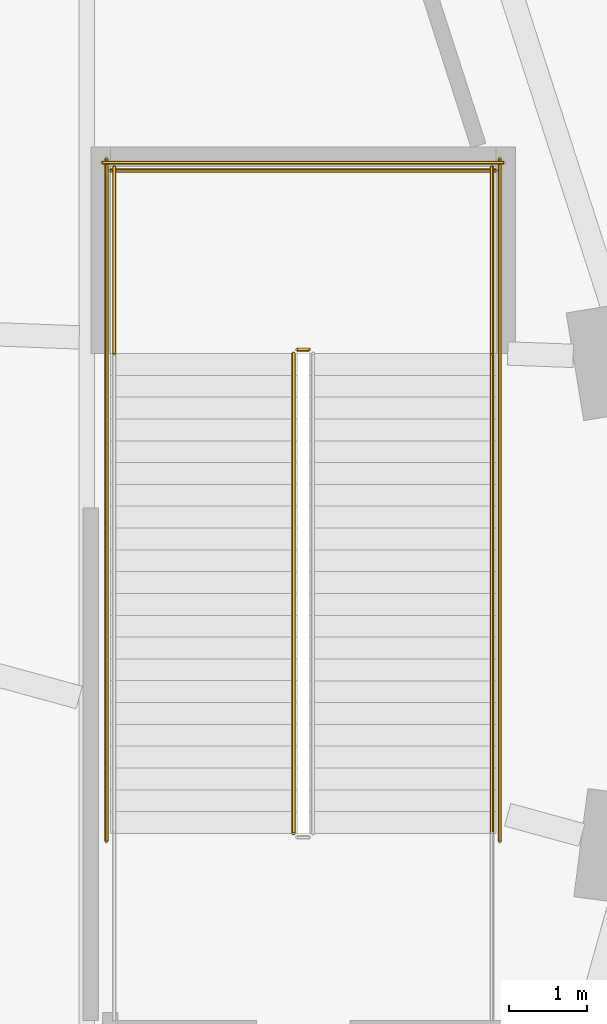
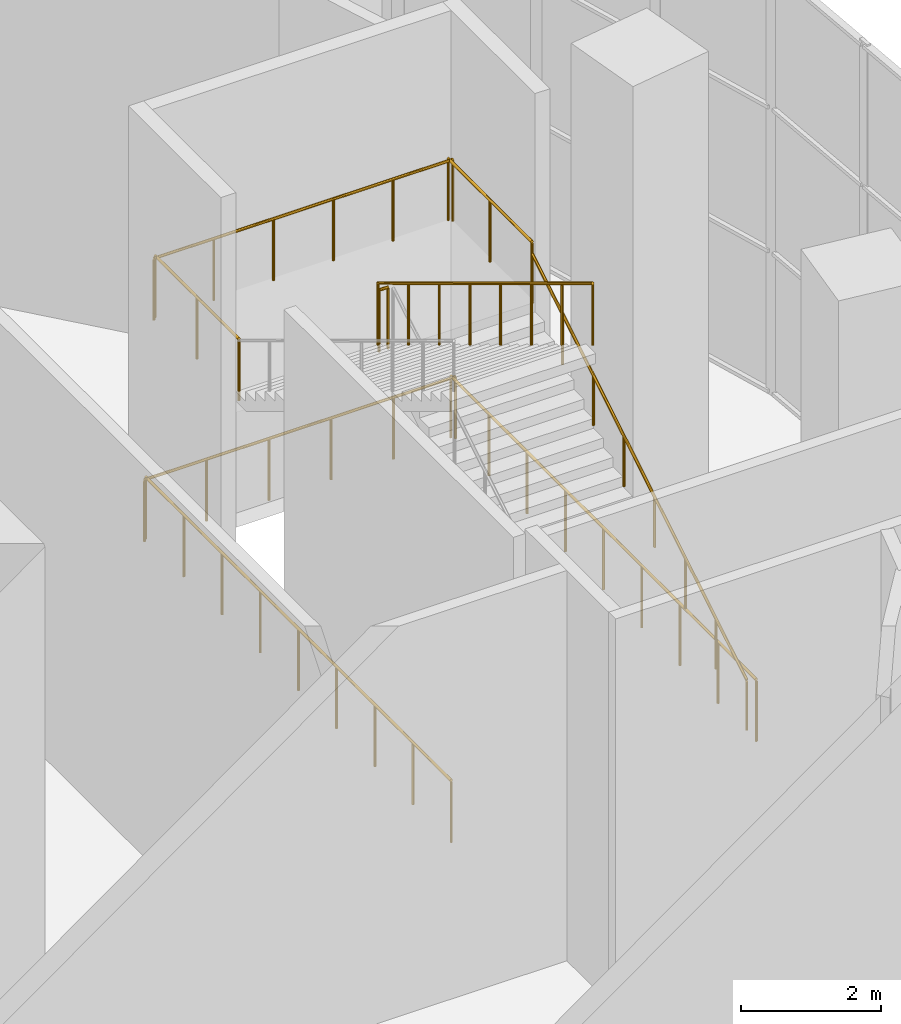
# One storey, part 21 of 22: 9 railings.
"""IFC4 building model written with IfcOpenShell, lengths in metres."""

from ifc_helpers import new_model, si_unit, direction, frame, origin, origin_2d, place, context, subcontext, project, spatial, circle, extrude, material, type_object, element, save


model = new_model("IFC4")

# Units and contexts
model_context = context("Model", 3, precision=1e-05, world=origin(), true_north=direction((0.0, 1.0)))
body_context = subcontext(model_context, "Body", "Model", "MODEL_VIEW")
ifc_project = project(units=[si_unit("LENGTHUNIT", "METRE"), si_unit("AREAUNIT", "SQUARE_METRE"), si_unit("VOLUMEUNIT", "CUBIC_METRE"), si_unit("PLANEANGLEUNIT", "RADIAN"), si_unit("MASSUNIT", "GRAM", prefix="KILO")], contexts=[model_context])

# Site, building, storey
site_placement = place(None, origin())
site = spatial("IfcSite", under=ifc_project, at=site_placement, CompositionType="ELEMENT")
building_placement = place(site_placement, origin())
building = spatial("IfcBuilding", under=site, at=building_placement, Name="Rubra Terraces Tower", CompositionType="ELEMENT")
storey_placement = place(building_placement, frame((0.0, 0.0, 15.0)))
storey = spatial("IfcBuildingStorey", under=building, at=storey_placement, Name="L02", CompositionType="ELEMENT", Elevation=15.0)

# Railings
ifc_material = material(Name="Stainless steel", Category="steel")
railing_type_1 = type_object("IfcRailingType", Name="Public stair guard 1100", PredefinedType="GUARDRAIL", material=ifc_material)
railing_1_placement = place(storey_placement, frame((22.5, 3.610107421875, 3.89990234375)))
element("IfcRailing", 1, at=railing_1_placement, inside=storey, type_object=railing_type_1, Name="L02 PS2 stair guard 2", PredefinedType="GUARDRAIL", context=body_context, shape_type="SweptSolid", body=[
    extrude(circle(Radius=0.02392578125, at=origin_2d()), frame((0.0, 0.0, 1.076171875), z_axis=(-1.0, 0.0, 0.0), x_axis=(0.0, -1.0, 0.0)), (0.0, 0.0, 1.0), 0.14990234375),
    extrude(circle(Radius=0.02099609375, at=origin_2d()), origin(), (0.0, 0.0, 1.0), 1.052001953125),
    extrude(circle(Radius=0.02099609375, at=origin_2d()), frame((-0.14990234375, 0.0, 0.0)), (0.0, 0.0, 1.0), 1.052001953125),
])
for number, where, name in (
    (2, (24.85009765625, 3.56005859375, 3.89990234375), "L02 PS2 stair guard 3"),
    (3, (20.0, 3.56005859375, 3.89990234375), "L02 PS2 stair guard 4"),
):
    element("IfcRailing", number, at=place(storey_placement, frame(where)), inside=storey, type_object=railing_type_1, Name=name, PredefinedType="GUARDRAIL", context=body_context, shape_type="SweptSolid", body=[
        extrude(circle(Radius=0.02392578125, at=origin_2d()), frame((0.0, 0.0, 1.076171875), z_axis=(0.0, 1.0, 0.0), x_axis=(-1.0, 0.0, 0.0)), (0.0, 0.0, 1.0), 2.39990234375),
        extrude(circle(Radius=0.02099609375, at=origin_2d()), origin(), (0.0, 0.0, 1.0), 1.052001953125),
        extrude(circle(Radius=0.02099609375, at=origin_2d()), frame((0.0, 1.199951171875, 0.0)), (0.0, 0.0, 1.0), 1.052001953125),
        extrude(circle(Radius=0.02099609375, at=origin_2d()), frame((0.0, 2.39990234375, 0.0)), (0.0, 0.0, 1.0), 1.052001953125),
    ])
railing_2_placement = place(storey_placement, frame((24.89990234375, 5.909912109375, 3.89990234375)))
element("IfcRailing", 4, at=railing_2_placement, inside=storey, type_object=railing_type_1, Name="L02 PS2 stair guard 5", PredefinedType="GUARDRAIL", context=body_context, shape_type="SweptSolid", body=[
    extrude(circle(Radius=0.02392578125, at=origin_2d()), frame((0.0, 0.0, 1.076171875), z_axis=(-1.0, 0.0, 0.0), x_axis=(0.0, -1.0, 0.0)), (0.0, 0.0, 1.0), 4.949951171875),
    extrude(circle(Radius=0.02099609375, at=origin_2d()), origin(), (0.0, 0.0, 1.0), 1.052001953125),
    extrude(circle(Radius=0.02099609375, at=origin_2d()), frame((-0.989990234375, 0.0, 0.0)), (0.0, 0.0, 1.0), 1.052001953125),
    extrude(circle(Radius=0.02099609375, at=origin_2d()), frame((-1.97998046875, 0.0, 0.0)), (0.0, 0.0, 1.0), 1.052001953125),
    extrude(circle(Radius=0.02099609375, at=origin_2d()), frame((-2.969970703125, 0.0, 0.0)), (0.0, 0.0, 1.0), 1.052001953125),
    extrude(circle(Radius=0.02099609375, at=origin_2d()), frame((-3.9599609375, 0.0, 0.0)), (0.0, 0.0, 1.0), 1.052001953125),
    extrude(circle(Radius=0.02099609375, at=origin_2d()), frame((-4.949951171875, 0.0, 0.0)), (0.0, 0.0, 1.0), 1.052001953125),
])
railing_3_placement = place(storey_placement, frame((22.300048828125, 3.56005859375, 4.069580078125)))
element("IfcRailing", 5, at=railing_3_placement, inside=storey, type_object=railing_type_1, Name="L02 PS2 stair guard 6", PredefinedType="GUARDRAIL", context=body_context, shape_type="SweptSolid", body=[
    extrude(circle(Radius=0.02392578125, at=origin_2d()), frame((0.0, 0.0, 1.076171875), z_axis=(0.0, -0.855379917629, 0.518001154937), x_axis=(1.0, 0.0, 0.0)), (0.0, 0.0, 1.0), 7.20166015625),
    extrude(circle(Radius=0.02099609375, at=origin_2d()), origin(), (0.0, 0.0, 1.0), 1.052001953125),
    extrude(circle(Radius=0.02099609375, at=origin_2d()), frame((0.0, -0.880126953125, 0.532958984375)), (0.0, 0.0, 1.0), 1.052001953125),
    extrude(circle(Radius=0.02099609375, at=origin_2d()), frame((0.0, -1.760009765625, 1.06591796875)), (0.0, 0.0, 1.0), 1.052001953125),
    extrude(circle(Radius=0.02099609375, at=origin_2d()), frame((0.0, -2.64013671875, 1.598876953125)), (0.0, 0.0, 1.0), 1.052001953125),
    extrude(circle(Radius=0.02099609375, at=origin_2d()), frame((0.0, -3.52001953125, 2.131591796875)), (0.0, 0.0, 1.0), 1.052001953125),
    extrude(circle(Radius=0.02099609375, at=origin_2d()), frame((0.0, -4.400146484375, 2.66455078125)), (0.0, 0.0, 1.0), 1.052001953125),
    extrude(circle(Radius=0.02099609375, at=origin_2d()), frame((0.0, -5.280029296875, 3.197509765625)), (0.0, 0.0, 1.0), 1.052001953125),
    extrude(circle(Radius=0.02099609375, at=origin_2d()), frame((0.0, -6.16015625, 3.73046875)), (0.0, 0.0, 1.0), 1.052001953125),
])
for number, where, name in (
    (6, (24.949951171875, -2.699951171875, 0.0), "L02 PS2 stair guard 10"),
    (7, (19.89990234375, -2.699951171875, 0.0), "L02 PS2 stair guard 11"),
):
    element("IfcRailing", number, at=place(storey_placement, frame(where)), inside=storey, type_object=railing_type_1, Name=name, PredefinedType="GUARDRAIL", context=body_context, shape_type="SweptSolid", body=[
        extrude(circle(Radius=0.02392578125, at=origin_2d()), frame((0.0, 0.0, 1.076171875), z_axis=(0.0, 1.0, 0.0), x_axis=(-1.0, 0.0, 0.0)), (0.0, 0.0, 1.0), 8.760009765625),
        extrude(circle(Radius=0.02099609375, at=origin_2d()), origin(), (0.0, 0.0, 1.0), 1.052001953125),
        extrude(circle(Radius=0.02099609375, at=origin_2d()), frame((0.0, 1.094970703125, 0.0)), (0.0, 0.0, 1.0), 1.052001953125),
        extrude(circle(Radius=0.02099609375, at=origin_2d()), frame((0.0, 2.18994140625, 0.0)), (0.0, 0.0, 1.0), 1.052001953125),
        extrude(circle(Radius=0.02099609375, at=origin_2d()), frame((0.0, 3.284912109375, 0.0)), (0.0, 0.0, 1.0), 1.052001953125),
        extrude(circle(Radius=0.02099609375, at=origin_2d()), frame((0.0, 4.3798828125, 0.0)), (0.0, 0.0, 1.0), 1.052001953125),
        extrude(circle(Radius=0.02099609375, at=origin_2d()), frame((0.0, 5.47509765625, 0.0)), (0.0, 0.0, 1.0), 1.052001953125),
        extrude(circle(Radius=0.02099609375, at=origin_2d()), frame((0.0, 6.570068359375, 0.0)), (0.0, 0.0, 1.0), 1.052001953125),
        extrude(circle(Radius=0.02099609375, at=origin_2d()), frame((0.0, 7.6650390625, 0.0)), (0.0, 0.0, 1.0), 1.052001953125),
        extrude(circle(Radius=0.02099609375, at=origin_2d()), frame((0.0, 8.760009765625, 0.0)), (0.0, 0.0, 1.0), 1.052001953125),
    ])
railing_4_placement = place(storey_placement, frame((25.0, 6.010009765625, 0.0)))
element("IfcRailing", 8, at=railing_4_placement, inside=storey, type_object=railing_type_1, Name="L02 PS2 stair guard 12", PredefinedType="GUARDRAIL", context=body_context, shape_type="SweptSolid", body=[
    extrude(circle(Radius=0.02392578125, at=origin_2d()), frame((0.0, 0.0, 1.076171875), z_axis=(-1.0, 0.0, 0.0), x_axis=(0.0, -1.0, 0.0)), (0.0, 0.0, 1.0), 5.14990234375),
    extrude(circle(Radius=0.02099609375, at=origin_2d()), origin(), (0.0, 0.0, 1.0), 1.052001953125),
    extrude(circle(Radius=0.02099609375, at=origin_2d()), frame((-1.030029296875, 0.0, 0.0)), (0.0, 0.0, 1.0), 1.052001953125),
    extrude(circle(Radius=0.02099609375, at=origin_2d()), frame((-2.06005859375, 0.0, 0.0)), (0.0, 0.0, 1.0), 1.052001953125),
    extrude(circle(Radius=0.02099609375, at=origin_2d()), frame((-3.08984375, 0.0, 0.0)), (0.0, 0.0, 1.0), 1.052001953125),
    extrude(circle(Radius=0.02099609375, at=origin_2d()), frame((-4.119873046875, 0.0, 0.0)), (0.0, 0.0, 1.0), 1.052001953125),
    extrude(circle(Radius=0.02099609375, at=origin_2d()), frame((-5.14990234375, 0.0, 0.0)), (0.0, 0.0, 1.0), 1.052001953125),
])
railing_type_2 = type_object("IfcRailingType", Name="Public stair handrail 900", PredefinedType="HANDRAIL", material=ifc_material)
railing_5_placement = place(storey_placement, frame((24.85009765625, -2.60009765625, 0.169677734375)))
element("IfcRailing", 9, at=railing_5_placement, inside=storey, type_object=railing_type_2, Name="L02 PS2 stair handrail 1", PredefinedType="HANDRAIL", context=body_context, shape_type="SweptSolid", body=[
    extrude(circle(Radius=0.02392578125, at=origin_2d()), frame((0.0, 0.0, 0.8759765625), z_axis=(0.0, 0.855394938475, 0.51797635007), x_axis=(-1.0, 0.0, 0.0)), (0.0, 0.0, 1.0), 7.201416015625),
    extrude(circle(Radius=0.02099609375, at=origin_2d()), origin(), (0.0, 0.0, 1.0), 0.851806640625),
    extrude(circle(Radius=0.02099609375, at=origin_2d()), frame((0.0, 0.880126953125, 0.532958984375)), (0.0, 0.0, 1.0), 0.851806640625),
    extrude(circle(Radius=0.02099609375, at=origin_2d()), frame((0.0, 1.760009765625, 1.065673828125)), (0.0, 0.0, 1.0), 0.851806640625),
    extrude(circle(Radius=0.02099609375, at=origin_2d()), frame((0.0, 2.64013671875, 1.5986328125)), (0.0, 0.0, 1.0), 0.851806640625),
    extrude(circle(Radius=0.02099609375, at=origin_2d()), frame((0.0, 3.52001953125, 2.131591796875)), (0.0, 0.0, 1.0), 0.851806640625),
    extrude(circle(Radius=0.02099609375, at=origin_2d()), frame((0.0, 4.400146484375, 2.66455078125)), (0.0, 0.0, 1.0), 0.851806640625),
    extrude(circle(Radius=0.02099609375, at=origin_2d()), frame((0.0, 5.280029296875, 3.197265625)), (0.0, 0.0, 1.0), 0.851806640625),
    extrude(circle(Radius=0.02099609375, at=origin_2d()), frame((0.0, 6.16015625, 3.730224609375)), (0.0, 0.0, 1.0), 0.851806640625),
])

save(model, "model.ifc")
